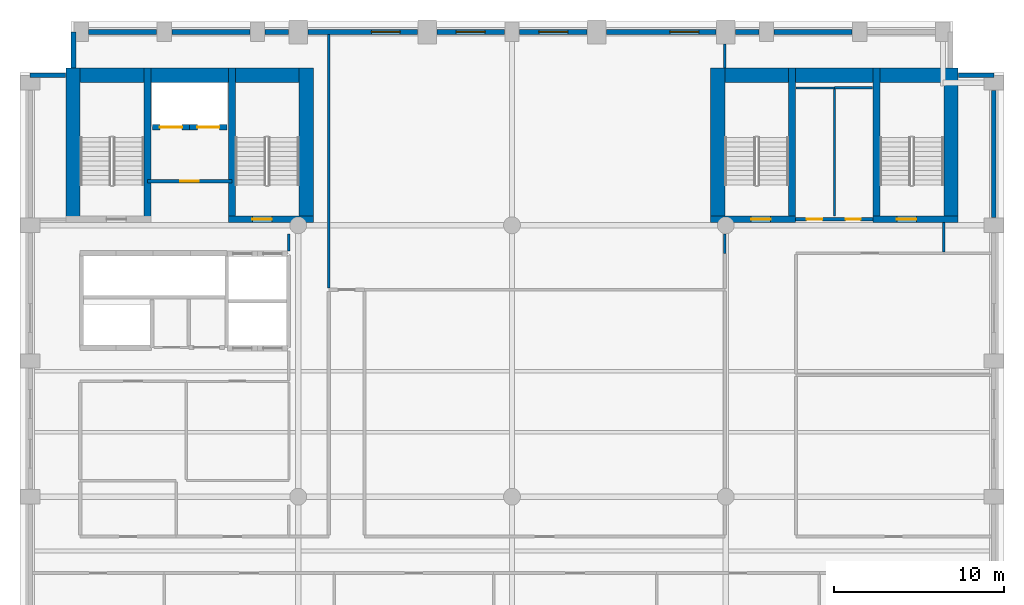
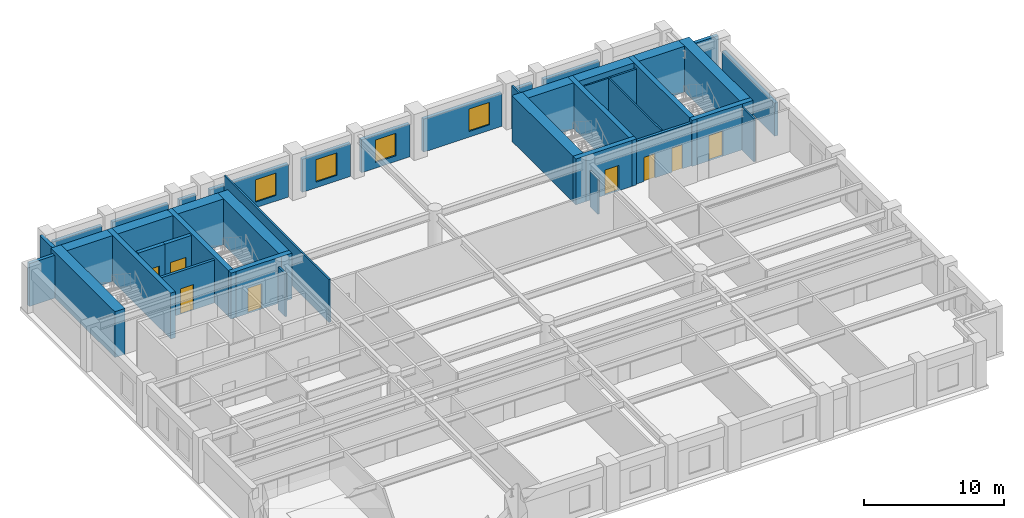
# One storey, part 5 of 9: 38 walls, 8 doors, 4 windows, 12 openings.
"""IFC4 building model written with IfcOpenShell, lengths in metres."""

from ifc_helpers import new_model, si_unit, direction, frame, frame_2d, origin, place, context, subcontext, project, spatial, rectangle, extrude, material, layer, layer_set, type_object, element, fill, save


model = new_model("IFC4")

# Units and contexts
model_context = context("Model", 3, precision=1e-05, world=origin(), true_north=direction((0.0, 1.0)))
body_context = subcontext(model_context, "Body", "Model", "MODEL_VIEW")
ifc_project = project(units=[si_unit("LENGTHUNIT", "METRE"), si_unit("AREAUNIT", "SQUARE_METRE"), si_unit("VOLUMEUNIT", "CUBIC_METRE"), si_unit("PLANEANGLEUNIT", "RADIAN"), si_unit("MASSUNIT", "GRAM", prefix="KILO")], contexts=[model_context])

# Site, building, storey
site_placement = place(None, origin())
site = spatial("IfcSite", under=ifc_project, at=site_placement, CompositionType="ELEMENT")
building_placement = place(site_placement, origin())
building = spatial("IfcBuilding", under=site, at=building_placement, Name="Sulina Concourse Tower", CompositionType="ELEMENT")
storey_placement = place(building_placement, frame((0.0, 0.0, 96.60009765625)))
storey = spatial("IfcBuildingStorey", under=building, at=storey_placement, Name="L23", CompositionType="ELEMENT", Elevation=96.60009765625)

# Wall, opening, door
ifc_material_1 = material(Name="Concrete C50/60", Category="concrete")
ifc_layer_1 = layer(ifc_material_1, 0.300048828125)
ifc_layer_set_1 = layer_set([ifc_layer_1], Name="Concrete C50/60")
wall_type_1 = type_object("IfcWallType", Name="Core Lift Hoistway Wall 300mm", PredefinedType="SOLIDWALL", material=ifc_layer_set_1)
wall_1_placement = place(storey_placement, frame((10.0, 39.780029296875, 0.0), z_axis=(0.0, 0.0, 1.0), x_axis=(-1.0, 0.0, 0.0)))
wall_1 = element("IfcWall", 1, at=wall_1_placement, inside=storey, type_object=wall_type_1, Name="L23 hoistway enclosure wall FFL-1", PredefinedType="SOLIDWALL", context=body_context, shape_type="SweptSolid", body=[
    extrude(rectangle(XDim=2.199951171875, YDim=0.300048828125, at=frame_2d((1.10009765625, 0.0))), origin(), (0.0, 0.0, 1.0), 4.0),
])
opening_1_placement = place(wall_1_placement, frame((0.449951171875, 0.0, 0.0)))
opening_1 = element("IfcOpeningElement", 2, at=opening_1_placement, cuts=wall_1, Name="Opening LD-02", PredefinedType="OPENING", context=body_context, shape_type="SweptSolid", body=[
    extrude(rectangle(XDim=1.300048828125, YDim=2.25, at=frame_2d((0.64990234375, 1.125))), frame((0.0, 0.159912109375, 0.0), z_axis=(0.0, -1.0, 0.0), x_axis=(1.0, 0.0, 0.0)), (0.0, 0.0, 1.0), 0.320068359375),
])
ifc_material_2 = material(Name="Stainless steel lift landing door", Category="steel")
ifc_layer_2 = layer(ifc_material_2, 0.050048828125)
ifc_layer_set_2 = layer_set([ifc_layer_2], Name="Stainless steel lift landing door")
door_type_1 = type_object("IfcDoorType", Name="Firefighting Lift Sliding Landing Door 1300x2250", OperationType="SLIDING_TO_RIGHT", PredefinedType="DOOR", material=ifc_layer_set_2)
door_1_placement = place(opening_1_placement, origin())
door_1 = element("IfcDoor", 3, at=door_1_placement, inside=storey, type_object=door_type_1, Name="L23 lift landing sliding door FFL-1", OperationType="SLIDING_TO_LEFT", OverallHeight=2.25, OverallWidth=1.300048828125, PredefinedType="DOOR", context=body_context, shape_type="SweptSolid", body=[
    extrude(rectangle(XDim=1.300048828125, YDim=2.25, at=frame_2d((0.64990234375, 1.125))), frame((0.0, 0.02490234375, 0.0), z_axis=(0.0, -1.0, 0.0), x_axis=(1.0, 0.0, 0.0)), (0.0, 0.0, 1.0), 0.050048828125),
])
fill(opening_1, door_1)

wall_2_placement = place(storey_placement, frame((12.199951171875, 39.780029296875, 0.0), z_axis=(0.0, 0.0, 1.0), x_axis=(-1.0, 0.0, 0.0)))
wall_2 = element("IfcWall", 4, at=wall_2_placement, inside=storey, type_object=wall_type_1, Name="L23 hoistway enclosure wall FFL-2", PredefinedType="SOLIDWALL", context=body_context, shape_type="SweptSolid", body=[
    extrude(rectangle(XDim=2.199951171875, YDim=0.300048828125, at=frame_2d((1.10009765625, 0.0))), origin(), (0.0, 0.0, 1.0), 4.0),
])
opening_2_placement = place(wall_2_placement, frame((0.449951171875, 0.0, 0.0)))
opening_2 = element("IfcOpeningElement", 5, at=opening_2_placement, cuts=wall_2, Name="Opening LD-02", PredefinedType="OPENING", context=body_context, shape_type="SweptSolid", body=[
    extrude(rectangle(XDim=1.300048828125, YDim=2.25, at=frame_2d((0.64990234375, 1.125))), frame((0.0, 0.159912109375, 0.0), z_axis=(0.0, -1.0, 0.0), x_axis=(1.0, 0.0, 0.0)), (0.0, 0.0, 1.0), 0.320068359375),
])
door_2_placement = place(opening_2_placement, origin())
door_2 = element("IfcDoor", 6, at=door_2_placement, inside=storey, type_object=door_type_1, Name="L23 lift landing sliding door FFL-2", OperationType="SLIDING_TO_RIGHT", OverallHeight=2.25, OverallWidth=1.300048828125, PredefinedType="DOOR", context=body_context, shape_type="SweptSolid", body=[
    extrude(rectangle(XDim=1.300048828125, YDim=2.25, at=frame_2d((0.64990234375, 1.125))), frame((0.0, 0.02490234375, 0.0), z_axis=(0.0, -1.0, 0.0), x_axis=(1.0, 0.0, 0.0)), (0.0, 0.0, 1.0), 0.050048828125),
])
fill(opening_2, door_2)

ifc_material_3 = material(Name="Gypsum board on steel stud", Category="steel")
ifc_layer_3 = layer(ifc_material_3, 0.219970703125)
ifc_layer_set_3 = layer_set([ifc_layer_3], Name="Gypsum board on steel stud")
wall_type_2 = type_object("IfcWallType", Name="Fire-Rated Lobby & Compartment Wall 220mm", PredefinedType="PARTITIONING", material=ifc_layer_set_3)
wall_3_placement = place(storey_placement, frame((7.510009765625, 36.60009765625, 0.0), z_axis=(0.0, 0.0, 1.0), x_axis=(1.0, 0.0, 0.0)))
wall_3 = element("IfcWall", 7, at=wall_3_placement, inside=storey, type_object=wall_type_2, Name="L23 firefighting lobby south fire wall", PredefinedType="PARTITIONING", context=body_context, shape_type="SweptSolid", body=[
    extrude(rectangle(XDim=4.97998046875, YDim=0.219970703125, at=frame_2d((2.489990234375, 0.0))), origin(), (0.0, 0.0, 1.0), 3.724853515625),
])
opening_3_placement = place(wall_3_placement, frame((1.93994140625, 0.0, 0.0)))
opening_3 = element("IfcOpeningElement", 8, at=opening_3_placement, cuts=wall_3, Name="Opening DR-47", PredefinedType="OPENING", context=body_context, shape_type="SweptSolid", body=[
    extrude(rectangle(XDim=1.10009765625, YDim=2.199951171875, at=frame_2d((0.550048828125, 1.10009765625))), frame((0.0, 0.119873046875, 0.0), z_axis=(0.0, -1.0, 0.0), x_axis=(1.0, 0.0, 0.0)), (0.0, 0.0, 1.0), 0.239990234375),
])
ifc_material_4 = material(Name="Galvanised steel acoustic fire leaf", Category="steel")
ifc_layer_4 = layer(ifc_material_4, 0.054931640625)
ifc_layer_set_4 = layer_set([ifc_layer_4], Name="Galvanised steel acoustic fire leaf")
door_type_2 = type_object("IfcDoorType", Name="Firefighting Lobby Fire Door 1100x2200", OperationType="NOTDEFINED", PredefinedType="DOOR", material=ifc_layer_set_4)
door_3_placement = place(opening_3_placement, origin())
door_3 = element("IfcDoor", 9, at=door_3_placement, inside=storey, type_object=door_type_2, Name="L23 firefighting lobby fire door", OperationType="SINGLE_SWING_RIGHT", OverallHeight=2.199951171875, OverallWidth=1.10009765625, PredefinedType="DOOR", context=body_context, shape_type="SweptSolid", body=[
    extrude(rectangle(XDim=1.10009765625, YDim=2.199951171875, at=frame_2d((0.550048828125, 1.10009765625))), frame((0.0, 0.02490234375, 0.0), z_axis=(0.0, -1.0, 0.0), x_axis=(1.0, 0.0, 0.0)), (0.0, 0.0, 1.0), 0.050048828125),
])
fill(opening_3, door_3)

# Wall, openings, doors
wall_4_placement = place(storey_placement, frame((45.719970703125, 34.35009765625, 0.0), z_axis=(0.0, 0.0, 1.0), x_axis=(1.0, 0.0, 0.0)))
wall_4 = element("IfcWall", 10, at=wall_4_placement, inside=storey, type_object=wall_type_2, Name="L23 east core south lobby wall", PredefinedType="PARTITIONING", context=body_context, shape_type="SweptSolid", body=[
    extrude(rectangle(XDim=4.56005859375, YDim=0.219970703125, at=frame_2d((2.280029296875, 0.0))), origin(), (0.0, 0.0, 1.0), 3.724853515625),
])
opening_4_placement = place(wall_4_placement, frame((0.64990234375, 0.0, 0.0)))
opening_4 = element("IfcOpeningElement", 11, at=opening_4_placement, cuts=wall_4, Name="Opening DR-61", PredefinedType="OPENING", context=body_context, shape_type="SweptSolid", body=[
    extrude(rectangle(XDim=0.919921875, YDim=2.10009765625, at=frame_2d((0.4599609375, 1.050048828125))), frame((0.0, 0.119873046875, 0.0), z_axis=(0.0, -1.0, 0.0), x_axis=(1.0, 0.0, 0.0)), (0.0, 0.0, 1.0), 0.239990234375),
])
opening_5_placement = place(wall_4_placement, frame((2.949951171875, 0.0, 0.0)))
opening_5 = element("IfcOpeningElement", 12, at=opening_5_placement, cuts=wall_4, Name="Opening DR-38", PredefinedType="OPENING", context=body_context, shape_type="SweptSolid", body=[
    extrude(rectangle(XDim=0.8798828125, YDim=2.10009765625, at=frame_2d((0.43994140625, 1.050048828125))), frame((0.0, 0.119873046875, 0.0), z_axis=(0.0, -1.0, 0.0), x_axis=(1.0, 0.0, 0.0)), (0.0, 0.0, 1.0), 0.239990234375),
])
ifc_material_5 = material(Name="Oak-veneered fire door leaf")
ifc_layer_5 = layer(ifc_material_5, 0.050048828125)
ifc_layer_set_5 = layer_set([ifc_layer_5], Name="Oak-veneered fire door leaf")
door_type_3 = type_object("IfcDoorType", Name="Accessible WC Door 920x2100", OperationType="NOTDEFINED", PredefinedType="DOOR", material=ifc_layer_set_5)
door_4_placement = place(opening_4_placement, origin())
door_4 = element("IfcDoor", 13, at=door_4_placement, inside=storey, type_object=door_type_3, Name="L23 east core accessible wc door", OperationType="SINGLE_SWING_RIGHT", OverallHeight=2.10009765625, OverallWidth=0.919921875, PredefinedType="DOOR", context=body_context, shape_type="SweptSolid", body=[
    extrude(rectangle(XDim=0.919921875, YDim=2.10009765625, at=frame_2d((0.4599609375, 1.050048828125))), frame((0.0, 0.02490234375, 0.0), z_axis=(0.0, -1.0, 0.0), x_axis=(1.0, 0.0, 0.0)), (0.0, 0.0, 1.0), 0.050048828125),
])
fill(opening_4, door_4)
ifc_material_6 = material(Name="Galvanised steel acoustic fire leaf", Category="steel")
ifc_layer_6 = layer(ifc_material_6, 0.050048828125)
ifc_layer_set_6 = layer_set([ifc_layer_6], Name="Galvanised steel acoustic fire leaf")
door_type_4 = type_object("IfcDoorType", Name="Service Riser Fire Door 880x2100", OperationType="NOTDEFINED", PredefinedType="DOOR", material=ifc_layer_set_6)
door_5_placement = place(opening_5_placement, origin())
door_5 = element("IfcDoor", 14, at=door_5_placement, inside=storey, type_object=door_type_4, Name="L23 east core store door", OperationType="SINGLE_SWING_LEFT", OverallHeight=2.10009765625, OverallWidth=0.8798828125, PredefinedType="DOOR", context=body_context, shape_type="SweptSolid", body=[
    extrude(rectangle(XDim=0.8798828125, YDim=2.10009765625, at=frame_2d((0.43994140625, 1.050048828125))), frame((0.0, 0.02490234375, 0.0), z_axis=(0.0, -1.0, 0.0), x_axis=(1.0, 0.0, 0.0)), (0.0, 0.0, 1.0), 0.050048828125),
])
fill(opening_5, door_5)

# Walls
ifc_material_7 = material(Name="Gypsum board on steel stud", Category="steel")
ifc_layer_7 = layer(ifc_material_7, 0.14990234375)
ifc_layer_set_7 = layer_set([ifc_layer_7], Name="Gypsum board on steel stud")
wall_type_3 = type_object("IfcWallType", Name="Inter-Tenancy Acoustic Partition 150mm", PredefinedType="PARTITIONING", material=ifc_layer_set_7)
wall_5_placement = place(storey_placement, frame((48.0, 42.10009765625, 0.0), z_axis=(0.0, 0.0, 1.0), x_axis=(1.0, 0.0, 0.0)))
element("IfcWall", 15, at=wall_5_placement, inside=storey, type_object=wall_type_3, Name="L23 interior partition 025", PredefinedType="PARTITIONING", context=body_context, shape_type="SweptSolid", body=[
    extrude(rectangle(XDim=2.25, YDim=0.14990234375, at=frame_2d((1.125, 0.0))), origin(), (0.0, 0.0, 1.0), 3.724853515625),
])
wall_6_placement = place(storey_placement, frame((15.85009765625, 32.469970703125, 0.0), z_axis=(0.0, 0.0, 1.0), x_axis=(0.0, 1.0, 0.0)))
element("IfcWall", 16, at=wall_6_placement, inside=storey, type_object=wall_type_3, Name="L23 interior partition 035", PredefinedType="PARTITIONING", context=body_context, shape_type="SweptSolid", body=[
    extrude(rectangle(XDim=1.030029296875, YDim=0.14990234375, at=frame_2d((0.51513671875, 0.0))), origin(), (0.0, 0.0, 1.0), 3.724853515625),
])
wall_7_placement = place(storey_placement, frame((18.199951171875, 30.2900390625, 0.0), z_axis=(0.0, 0.0, 1.0), x_axis=(0.0, 1.0, 0.0)))
element("IfcWall", 17, at=wall_7_placement, inside=storey, type_object=wall_type_3, Name="L23 interior partition 037", PredefinedType="PARTITIONING", context=body_context, shape_type="SweptSolid", body=[
    extrude(rectangle(XDim=14.969970703125, YDim=0.14990234375, at=frame_2d((7.48486328125, 0.0))), origin(), (0.0, 0.0, 1.0), 3.724853515625),
])
wall_8_placement = place(storey_placement, frame((41.550048828125, 32.35009765625, 0.0), z_axis=(0.0, 0.0, 1.0), x_axis=(0.0, 1.0, 0.0)))
element("IfcWall", 18, at=wall_8_placement, inside=storey, type_object=wall_type_3, Name="L23 interior partition 045", PredefinedType="PARTITIONING", context=body_context, shape_type="SweptSolid", body=[
    extrude(rectangle(XDim=1.14990234375, YDim=0.14990234375, at=frame_2d((0.574951171875, 0.0))), origin(), (0.0, 0.0, 1.0), 3.06982421875),
])
wall_9_placement = place(storey_placement, frame((41.550048828125, 43.280029296875, 0.0), z_axis=(0.0, 0.0, 1.0), x_axis=(0.0, 1.0, 0.0)))
element("IfcWall", 19, at=wall_9_placement, inside=storey, type_object=wall_type_3, Name="L23 interior partition 046", PredefinedType="PARTITIONING", context=body_context, shape_type="SweptSolid", body=[
    extrude(rectangle(XDim=1.419921875, YDim=0.14990234375, at=frame_2d((0.7099609375, 0.0))), origin(), (0.0, 0.0, 1.0), 3.724853515625),
])
wall_10_placement = place(storey_placement, frame((54.449951171875, 32.425048828125, 0.0), z_axis=(0.0, 0.0, 1.0), x_axis=(0.0, 1.0, 0.0)))
element("IfcWall", 20, at=wall_10_placement, inside=storey, type_object=wall_type_3, Name="L23 interior partition 051", PredefinedType="PARTITIONING", context=body_context, shape_type="SweptSolid", body=[
    extrude(rectangle(XDim=1.724853515625, YDim=0.14990234375, at=frame_2d((0.8623046875, 0.0))), origin(), (0.0, 0.0, 1.0), 3.724853515625),
])

# Wall, opening, door
ifc_material_8 = material(Name="Concrete C60/75", Category="concrete")
ifc_layer_8 = layer(ifc_material_8, 0.39990234375)
ifc_layer_set_8 = layer_set([ifc_layer_8], Name="Concrete C60/75")
wall_type_4 = type_object("IfcWallType", Name="Protected Stair Core Shear Wall 400mm", PredefinedType="SHEAR", material=ifc_layer_set_8)
wall_11_placement = place(storey_placement, frame((12.2900390625, 34.35009765625, 0.0), z_axis=(0.0, 0.0, 1.0), x_axis=(1.0, 0.0, 0.0)))
wall_11 = element("IfcWall", 21, at=wall_11_placement, inside=storey, type_object=wall_type_4, Name="L23 west core shear wall CW-WS2", PredefinedType="SHEAR", context=body_context, shape_type="SweptSolid", body=[
    extrude(rectangle(XDim=5.010009765625, YDim=0.39990234375, at=frame_2d((2.5048828125, 0.0))), origin(), (0.0, 0.0, 1.0), 4.0),
])
opening_6_placement = place(wall_11_placement, frame((1.39990234375, 0.0, 0.0)))
opening_6 = element("IfcOpeningElement", 22, at=opening_6_placement, cuts=wall_11, Name="Opening DR-60", PredefinedType="OPENING", context=body_context, shape_type="SweptSolid", body=[
    extrude(rectangle(XDim=1.14990234375, YDim=2.199951171875, at=frame_2d((0.574951171875, 1.10009765625))), frame((0.0, 0.2099609375, 0.0), z_axis=(0.0, -1.0, 0.0), x_axis=(1.0, 0.0, 0.0)), (0.0, 0.0, 1.0), 0.419921875),
])
ifc_material_9 = material(Name="Galvanised steel acoustic fire leaf", Category="steel")
ifc_layer_9 = layer(ifc_material_9, 0.054931640625)
ifc_layer_set_9 = layer_set([ifc_layer_9], Name="Galvanised steel acoustic fire leaf")
door_type_5 = type_object("IfcDoorType", Name="Protected Exit Stair Fire Door 1150x2200", OperationType="NOTDEFINED", PredefinedType="DOOR", material=ifc_layer_set_9)
door_6_placement = place(opening_6_placement, origin())
door_6 = element("IfcDoor", 23, at=door_6_placement, inside=storey, type_object=door_type_5, Name="L23 stair ST-2 lobby fire door", OperationType="SINGLE_SWING_LEFT", OverallHeight=2.199951171875, OverallWidth=1.14990234375, PredefinedType="DOOR", context=body_context, shape_type="SweptSolid", body=[
    extrude(rectangle(XDim=1.14990234375, YDim=2.199951171875, at=frame_2d((0.574951171875, 1.10009765625))), frame((0.0, 0.02490234375, 0.0), z_axis=(0.0, -1.0, 0.0), x_axis=(1.0, 0.0, 0.0)), (0.0, 0.0, 1.0), 0.050048828125),
])
fill(opening_6, door_6)

# Walls
for number, where, z_axis, x_axis, name in (
    (24, (7.510009765625, 34.14990234375, 0.0), (0.0, 0.0, 1.0), (0.0, 1.0, 0.0), "L23 west core shear wall SW-ST1"),
    (25, (12.489990234375, 34.14990234375, 0.0), (0.0, 0.0, 1.0), (0.0, 1.0, 0.0), "L23 west core shear wall SW-ST2"),
):
    element("IfcWall", number, at=place(storey_placement, frame(where, z_axis=z_axis, x_axis=x_axis)), inside=storey, type_object=wall_type_4, Name=name, PredefinedType="SHEAR", context=body_context, shape_type="SweptSolid", body=[
        extrude(rectangle(XDim=9.130126953125, YDim=0.39990234375, at=frame_2d((4.56494140625, 0.0))), origin(), (0.0, 0.0, 1.0), 4.0),
    ])

# Wall, opening, door
wall_12_placement = place(storey_placement, frame((40.699951171875, 34.35009765625, 0.0), z_axis=(0.0, 0.0, 1.0), x_axis=(1.0, 0.0, 0.0)))
wall_12 = element("IfcWall", 26, at=wall_12_placement, inside=storey, type_object=wall_type_4, Name="L23 east core shear wall CW-ES1", PredefinedType="SHEAR", context=body_context, shape_type="SweptSolid", body=[
    extrude(rectangle(XDim=5.010009765625, YDim=0.39990234375, at=frame_2d((2.5048828125, 0.0))), origin(), (0.0, 0.0, 1.0), 4.0),
])
opening_7_placement = place(wall_12_placement, frame((2.39990234375, 0.0, 0.0)))
opening_7 = element("IfcOpeningElement", 27, at=opening_7_placement, cuts=wall_12, Name="Opening DR-60", PredefinedType="OPENING", context=body_context, shape_type="SweptSolid", body=[
    extrude(rectangle(XDim=1.14990234375, YDim=2.199951171875, at=frame_2d((0.574951171875, 1.10009765625))), frame((0.0, 0.2099609375, 0.0), z_axis=(0.0, -1.0, 0.0), x_axis=(1.0, 0.0, 0.0)), (0.0, 0.0, 1.0), 0.419921875),
])
door_7_placement = place(opening_7_placement, origin())
door_7 = element("IfcDoor", 28, at=door_7_placement, inside=storey, type_object=door_type_5, Name="L23 stair ST-3 south lobby fire door", OperationType="SINGLE_SWING_LEFT", OverallHeight=2.199951171875, OverallWidth=1.14990234375, PredefinedType="DOOR", context=body_context, shape_type="SweptSolid", body=[
    extrude(rectangle(XDim=1.14990234375, YDim=2.199951171875, at=frame_2d((0.574951171875, 1.10009765625))), frame((0.0, 0.02490234375, 0.0), z_axis=(0.0, -1.0, 0.0), x_axis=(1.0, 0.0, 0.0)), (0.0, 0.0, 1.0), 0.050048828125),
])
fill(opening_7, door_7)

# Wall
wall_13_placement = place(storey_placement, frame((45.510009765625, 34.14990234375, 0.0), z_axis=(0.0, 0.0, 1.0), x_axis=(0.0, 1.0, 0.0)))
element("IfcWall", 29, at=wall_13_placement, inside=storey, type_object=wall_type_4, Name="L23 east core shear wall SW-ST3", PredefinedType="SHEAR", context=body_context, shape_type="SweptSolid", body=[
    extrude(rectangle(XDim=9.130126953125, YDim=0.39990234375, at=frame_2d((4.56494140625, 0.0))), origin(), (0.0, 0.0, 1.0), 4.0),
])

# Wall, opening, door
wall_14_placement = place(storey_placement, frame((50.2900390625, 34.35009765625, 0.0), z_axis=(0.0, 0.0, 1.0), x_axis=(1.0, 0.0, 0.0)))
wall_14 = element("IfcWall", 30, at=wall_14_placement, inside=storey, type_object=wall_type_4, Name="L23 east core shear wall CW-ES2", PredefinedType="SHEAR", context=body_context, shape_type="SweptSolid", body=[
    extrude(rectangle(XDim=5.010009765625, YDim=0.39990234375, at=frame_2d((2.5048828125, 0.0))), origin(), (0.0, 0.0, 1.0), 4.0),
])
opening_8_placement = place(wall_14_placement, frame((1.39990234375, 0.0, 0.0)))
opening_8 = element("IfcOpeningElement", 31, at=opening_8_placement, cuts=wall_14, Name="Opening DR-60", PredefinedType="OPENING", context=body_context, shape_type="SweptSolid", body=[
    extrude(rectangle(XDim=1.14990234375, YDim=2.199951171875, at=frame_2d((0.574951171875, 1.10009765625))), frame((0.0, 0.2099609375, 0.0), z_axis=(0.0, -1.0, 0.0), x_axis=(1.0, 0.0, 0.0)), (0.0, 0.0, 1.0), 0.419921875),
])
door_8_placement = place(opening_8_placement, origin())
door_8 = element("IfcDoor", 32, at=door_8_placement, inside=storey, type_object=door_type_5, Name="L23 stair ST-4 south lobby fire door", OperationType="SINGLE_SWING_RIGHT", OverallHeight=2.199951171875, OverallWidth=1.14990234375, PredefinedType="DOOR", context=body_context, shape_type="SweptSolid", body=[
    extrude(rectangle(XDim=1.14990234375, YDim=2.199951171875, at=frame_2d((0.574951171875, 1.10009765625))), frame((0.0, 0.02490234375, 0.0), z_axis=(0.0, -1.0, 0.0), x_axis=(1.0, 0.0, 0.0)), (0.0, 0.0, 1.0), 0.050048828125),
])
fill(opening_8, door_8)

# Walls
wall_15_placement = place(storey_placement, frame((50.489990234375, 34.14990234375, 0.0), z_axis=(0.0, 0.0, 1.0), x_axis=(0.0, 1.0, 0.0)))
element("IfcWall", 33, at=wall_15_placement, inside=storey, type_object=wall_type_4, Name="L23 east core shear wall SW-ST4", PredefinedType="SHEAR", context=body_context, shape_type="SweptSolid", body=[
    extrude(rectangle(XDim=9.130126953125, YDim=0.39990234375, at=frame_2d((4.56494140625, 0.0))), origin(), (0.0, 0.0, 1.0), 4.0),
])
ifc_material_10 = material(Name="Concrete C60/75", Category="concrete")
ifc_layer_10 = layer(ifc_material_10, 0.85009765625)
ifc_layer_set_10 = layer_set([ifc_layer_10], Name="Concrete C60/75")
wall_type_5 = type_object("IfcWallType", Name="Rear Core Shear Wall 850mm", PredefinedType="SHEAR", material=ifc_layer_set_10)
wall_16_placement = place(storey_placement, frame((2.699951171875, 42.85498046875, 0.0), z_axis=(0.0, 0.0, 1.0), x_axis=(1.0, 0.0, 0.0)))
element("IfcWall", 34, at=wall_16_placement, inside=storey, type_object=wall_type_5, Name="L23 west core shear wall CW-WN", PredefinedType="SHEAR", context=body_context, shape_type="SweptSolid", body=[
    extrude(rectangle(XDim=14.60009765625, YDim=0.85009765625, at=frame_2d((7.300048828125, 0.0))), origin(), (0.0, 0.0, 1.0), 4.0),
])
for number, where, z_axis, x_axis, name in (
    (35, (3.125, 34.14990234375, 0.0), (0.0, 0.0, 1.0), (0.0, 1.0, 0.0), "L23 west core shear wall CW-WW"),
    (36, (16.875, 34.14990234375, 0.0), (0.0, 0.0, 1.0), (0.0, 1.0, 0.0), "L23 west core shear wall CW-WE"),
):
    element("IfcWall", number, at=place(storey_placement, frame(where, z_axis=z_axis, x_axis=x_axis)), inside=storey, type_object=wall_type_5, Name=name, PredefinedType="SHEAR", context=body_context, shape_type="SweptSolid", body=[
        extrude(rectangle(XDim=9.130126953125, YDim=0.85009765625, at=frame_2d((4.56494140625, 0.0))), origin(), (0.0, 0.0, 1.0), 4.0),
    ])
wall_17_placement = place(storey_placement, frame((40.699951171875, 42.85498046875, 0.0), z_axis=(0.0, 0.0, 1.0), x_axis=(1.0, 0.0, 0.0)))
element("IfcWall", 37, at=wall_17_placement, inside=storey, type_object=wall_type_5, Name="L23 east core shear wall CW-EN", PredefinedType="SHEAR", context=body_context, shape_type="SweptSolid", body=[
    extrude(rectangle(XDim=14.60009765625, YDim=0.85009765625, at=frame_2d((7.300048828125, 0.0))), origin(), (0.0, 0.0, 1.0), 4.0),
])
for number, where, z_axis, x_axis, name in (
    (38, (41.125, 34.14990234375, 0.0), (0.0, 0.0, 1.0), (0.0, 1.0, 0.0), "L23 east core shear wall CW-EW"),
    (39, (54.875, 34.14990234375, 0.0), (0.0, 0.0, 1.0), (0.0, 1.0, 0.0), "L23 east core shear wall CW-EE"),
):
    element("IfcWall", number, at=place(storey_placement, frame(where, z_axis=z_axis, x_axis=x_axis)), inside=storey, type_object=wall_type_5, Name=name, PredefinedType="SHEAR", context=body_context, shape_type="SweptSolid", body=[
        extrude(rectangle(XDim=9.130126953125, YDim=0.85009765625, at=frame_2d((4.56494140625, 0.0))), origin(), (0.0, 0.0, 1.0), 4.0),
    ])
ifc_material_11 = material(Name="Precast concrete C50/60", Category="concrete")
ifc_layer_11 = layer(ifc_material_11, 0.280029296875)
ifc_layer_set_11 = layer_set([ifc_layer_11], Name="Precast concrete C50/60")
wall_type_6 = type_object("IfcWallType", Name="Typical Precast Masonry-Frame Facade Wall 280mm", PredefinedType="SOLIDWALL", material=ifc_layer_set_11)
wall_18_placement = place(storey_placement, frame((4.044921875, 45.39990234375, 0.0), z_axis=(0.0, 0.0, 1.0), x_axis=(1.0, 0.0, 0.0)))
element("IfcWall", 40, at=wall_18_placement, inside=storey, type_object=wall_type_6, Name="L23 exterior precast wall N1", PredefinedType="SOLIDWALL", context=body_context, shape_type="SweptSolid", body=[
    extrude(rectangle(XDim=4.010009765625, YDim=0.280029296875, at=frame_2d((2.0048828125, 0.0))), origin(), (0.0, 0.0, 1.0), 2.875),
])
wall_19_placement = place(storey_placement, frame((8.945068359375, 45.39990234375, 0.0), z_axis=(0.0, 0.0, 1.0), x_axis=(1.0, 0.0, 0.0)))
element("IfcWall", 41, at=wall_19_placement, inside=storey, type_object=wall_type_6, Name="L23 exterior precast wall N2", PredefinedType="SOLIDWALL", context=body_context, shape_type="SweptSolid", body=[
    extrude(rectangle(XDim=4.60986328125, YDim=0.280029296875, at=frame_2d((2.304931640625, 0.0))), origin(), (0.0, 0.0, 1.0), 2.875),
])
wall_20_placement = place(storey_placement, frame((14.445068359375, 45.39990234375, 0.0), z_axis=(0.0, 0.0, 1.0), x_axis=(1.0, 0.0, 0.0)))
element("IfcWall", 42, at=wall_20_placement, inside=storey, type_object=wall_type_6, Name="L23 exterior precast wall N3", PredefinedType="SOLIDWALL", context=body_context, shape_type="SweptSolid", body=[
    extrude(rectangle(XDim=1.385009765625, YDim=0.280029296875, at=frame_2d((0.6923828125, 0.0))), origin(), (0.0, 0.0, 1.0), 2.875),
])

# Wall, opening, window
wall_21_placement = place(storey_placement, frame((16.969970703125, 45.39990234375, 0.0), z_axis=(0.0, 0.0, 1.0), x_axis=(1.0, 0.0, 0.0)))
wall_21 = element("IfcWall", 43, at=wall_21_placement, inside=storey, type_object=wall_type_6, Name="L23 exterior precast wall N4", PredefinedType="SOLIDWALL", context=body_context, shape_type="SweptSolid", body=[
    extrude(rectangle(XDim=6.4599609375, YDim=0.280029296875, at=frame_2d((3.22998046875, 0.0))), origin(), (0.0, 0.0, 1.0), 2.875),
])
opening_9_placement = place(wall_21_placement, frame((3.739990234375, 0.0, 0.5)))
opening_9 = element("IfcOpeningElement", 44, at=opening_9_placement, cuts=wall_21, Name="Opening WN-66", PredefinedType="OPENING", context=body_context, shape_type="SweptSolid", body=[
    extrude(rectangle(XDim=1.699951171875, YDim=1.949951171875, at=frame_2d((0.85009765625, 0.97509765625))), frame((0.0, 0.14990234375, 0.0), z_axis=(0.0, -1.0, 0.0), x_axis=(1.0, 0.0, 0.0)), (0.0, 0.0, 1.0), 0.300048828125),
])
ifc_material_12 = material(Name="Low-E solar double glazing in bronze aluminium", Category="aluminium")
window_type = type_object("IfcWindowType", Name="Recessed Spandrel Window 1700x1950", PartitioningType="SINGLE_PANEL", PredefinedType="WINDOW", material=ifc_material_12)
window_1_placement = place(opening_9_placement, origin())
window_1 = element("IfcWindow", 45, at=window_1_placement, inside=storey, type_object=window_type, Name="L23 punched window N4-1", OverallHeight=1.949951171875, OverallWidth=1.699951171875, PartitioningType="SINGLE_PANEL", PredefinedType="WINDOW", context=body_context, shape_type="SweptSolid", body=[
    extrude(rectangle(XDim=1.699951171875, YDim=1.949951171875, at=frame_2d((0.85009765625, 0.97509765625))), frame((0.0, 0.030029296875, 0.0), z_axis=(0.0, -1.0, 0.0), x_axis=(1.0, 0.0, 0.0)), (0.0, 0.0, 1.0), 0.06005859375),
])
fill(opening_9, window_1)

wall_22_placement = place(storey_placement, frame((24.570068359375, 45.39990234375, 0.0), z_axis=(0.0, 0.0, 1.0), x_axis=(1.0, 0.0, 0.0)))
wall_22 = element("IfcWall", 46, at=wall_22_placement, inside=storey, type_object=wall_type_6, Name="L23 exterior precast wall N5", PredefinedType="SOLIDWALL", context=body_context, shape_type="SweptSolid", body=[
    extrude(rectangle(XDim=3.98486328125, YDim=0.280029296875, at=frame_2d((1.992431640625, 0.0))), origin(), (0.0, 0.0, 1.0), 2.875),
])
opening_10_placement = place(wall_22_placement, frame((1.142578125, 0.0, 0.5)))
opening_10 = element("IfcOpeningElement", 47, at=opening_10_placement, cuts=wall_22, Name="Opening WN-66", PredefinedType="OPENING", context=body_context, shape_type="SweptSolid", body=[
    extrude(rectangle(XDim=1.699951171875, YDim=1.949951171875, at=frame_2d((0.85009765625, 0.97509765625))), frame((0.0, 0.14990234375, 0.0), z_axis=(0.0, -1.0, 0.0), x_axis=(1.0, 0.0, 0.0)), (0.0, 0.0, 1.0), 0.300048828125),
])
window_2_placement = place(opening_10_placement, origin())
window_2 = element("IfcWindow", 48, at=window_2_placement, inside=storey, type_object=window_type, Name="L23 punched window N5-1", OverallHeight=1.949951171875, OverallWidth=1.699951171875, PartitioningType="SINGLE_PANEL", PredefinedType="WINDOW", context=body_context, shape_type="SweptSolid", body=[
    extrude(rectangle(XDim=1.699951171875, YDim=1.949951171875, at=frame_2d((0.85009765625, 0.97509765625))), frame((0.0, 0.030029296875, 0.0), z_axis=(0.0, -1.0, 0.0), x_axis=(1.0, 0.0, 0.0)), (0.0, 0.0, 1.0), 0.06005859375),
])
fill(opening_10, window_2)

wall_23_placement = place(storey_placement, frame((29.445068359375, 45.39990234375, 0.0), z_axis=(0.0, 0.0, 1.0), x_axis=(1.0, 0.0, 0.0)))
wall_23 = element("IfcWall", 49, at=wall_23_placement, inside=storey, type_object=wall_type_6, Name="L23 exterior precast wall N6", PredefinedType="SOLIDWALL", context=body_context, shape_type="SweptSolid", body=[
    extrude(rectangle(XDim=3.98486328125, YDim=0.280029296875, at=frame_2d((1.992431640625, 0.0))), origin(), (0.0, 0.0, 1.0), 2.875),
])
opening_11_placement = place(wall_23_placement, frame((1.142578125, 0.0, 0.5)))
opening_11 = element("IfcOpeningElement", 50, at=opening_11_placement, cuts=wall_23, Name="Opening WN-66", PredefinedType="OPENING", context=body_context, shape_type="SweptSolid", body=[
    extrude(rectangle(XDim=1.699951171875, YDim=1.949951171875, at=frame_2d((0.85009765625, 0.97509765625))), frame((0.0, 0.14990234375, 0.0), z_axis=(0.0, -1.0, 0.0), x_axis=(1.0, 0.0, 0.0)), (0.0, 0.0, 1.0), 0.300048828125),
])
window_3_placement = place(opening_11_placement, origin())
window_3 = element("IfcWindow", 51, at=window_3_placement, inside=storey, type_object=window_type, Name="L23 punched window N6-1", OverallHeight=1.949951171875, OverallWidth=1.699951171875, PartitioningType="SINGLE_PANEL", PredefinedType="WINDOW", context=body_context, shape_type="SweptSolid", body=[
    extrude(rectangle(XDim=1.699951171875, YDim=1.949951171875, at=frame_2d((0.85009765625, 0.97509765625))), frame((0.0, 0.030029296875, 0.0), z_axis=(0.0, -1.0, 0.0), x_axis=(1.0, 0.0, 0.0)), (0.0, 0.0, 1.0), 0.06005859375),
])
fill(opening_11, window_3)

wall_24_placement = place(storey_placement, frame((34.570068359375, 45.39990234375, 0.0), z_axis=(0.0, 0.0, 1.0), x_axis=(1.0, 0.0, 0.0)))
wall_24 = element("IfcWall", 52, at=wall_24_placement, inside=storey, type_object=wall_type_6, Name="L23 exterior precast wall N7", PredefinedType="SOLIDWALL", context=body_context, shape_type="SweptSolid", body=[
    extrude(rectangle(XDim=6.4599609375, YDim=0.280029296875, at=frame_2d((3.22998046875, 0.0))), origin(), (0.0, 0.0, 1.0), 2.875),
])
opening_12_placement = place(wall_24_placement, frame((3.739990234375, 0.0, 0.5)))
opening_12 = element("IfcOpeningElement", 53, at=opening_12_placement, cuts=wall_24, Name="Opening WN-66", PredefinedType="OPENING", context=body_context, shape_type="SweptSolid", body=[
    extrude(rectangle(XDim=1.699951171875, YDim=1.949951171875, at=frame_2d((0.85009765625, 0.97509765625))), frame((0.0, 0.14990234375, 0.0), z_axis=(0.0, -1.0, 0.0), x_axis=(1.0, 0.0, 0.0)), (0.0, 0.0, 1.0), 0.300048828125),
])
window_4_placement = place(opening_12_placement, origin())
window_4 = element("IfcWindow", 54, at=window_4_placement, inside=storey, type_object=window_type, Name="L23 punched window N7-1", OverallHeight=1.949951171875, OverallWidth=1.699951171875, PartitioningType="SINGLE_PANEL", PredefinedType="WINDOW", context=body_context, shape_type="SweptSolid", body=[
    extrude(rectangle(XDim=1.699951171875, YDim=1.949951171875, at=frame_2d((0.85009765625, 0.97509765625))), frame((0.0, 0.030029296875, 0.0), z_axis=(0.0, -1.0, 0.0), x_axis=(1.0, 0.0, 0.0)), (0.0, 0.0, 1.0), 0.06005859375),
])
fill(opening_12, window_4)

# Walls
wall_25_placement = place(storey_placement, frame((42.169921875, 45.39990234375, 0.0), z_axis=(0.0, 0.0, 1.0), x_axis=(1.0, 0.0, 0.0)))
element("IfcWall", 55, at=wall_25_placement, inside=storey, type_object=wall_type_6, Name="L23 exterior precast wall N8", PredefinedType="SOLIDWALL", context=body_context, shape_type="SweptSolid", body=[
    extrude(rectangle(XDim=1.385009765625, YDim=0.280029296875, at=frame_2d((0.6923828125, 0.0))), origin(), (0.0, 0.0, 1.0), 2.875),
])
wall_26_placement = place(storey_placement, frame((44.445068359375, 45.39990234375, 0.0), z_axis=(0.0, 0.0, 1.0), x_axis=(1.0, 0.0, 0.0)))
element("IfcWall", 56, at=wall_26_placement, inside=storey, type_object=wall_type_6, Name="L23 exterior precast wall N9", PredefinedType="SOLIDWALL", context=body_context, shape_type="SweptSolid", body=[
    extrude(rectangle(XDim=4.60986328125, YDim=0.280029296875, at=frame_2d((2.304931640625, 0.0))), origin(), (0.0, 0.0, 1.0), 2.875),
])
wall_27_placement = place(storey_placement, frame((57.39990234375, 41.955078125, 0.0), z_axis=(0.0, 0.0, 1.0), x_axis=(0.0, -1.0, 0.0)))
element("IfcWall", 57, at=wall_27_placement, inside=storey, type_object=wall_type_6, Name="L23 exterior precast wall E5", PredefinedType="SOLIDWALL", context=body_context, shape_type="SweptSolid", body=[
    extrude(rectangle(XDim=7.510009765625, YDim=0.280029296875, at=frame_2d((3.7548828125, 0.0))), origin(), (0.0, 0.0, 1.0), 2.875),
])
wall_28_placement = place(storey_placement, frame((0.60009765625, 42.844970703125, 0.0), z_axis=(0.0, 0.0, 1.0), x_axis=(1.0, 0.0, 0.0)))
element("IfcWall", 58, at=wall_28_placement, inside=storey, type_object=wall_type_6, Name="L23 exterior precast wall CNW1", PredefinedType="SOLIDWALL", context=body_context, shape_type="SweptSolid", body=[
    extrude(rectangle(XDim=2.094970703125, YDim=0.280029296875, at=frame_2d((1.04736328125, 0.0))), origin(), (0.0, 0.0, 1.0), 3.724853515625),
])
wall_29_placement = place(storey_placement, frame((3.155029296875, 43.284912109375, 0.0), z_axis=(0.0, 0.0, 1.0), x_axis=(0.0, 1.0, 0.0)))
element("IfcWall", 59, at=wall_29_placement, inside=storey, type_object=wall_type_6, Name="L23 exterior precast wall CNW2", PredefinedType="SOLIDWALL", context=body_context, shape_type="SweptSolid", body=[
    extrude(rectangle(XDim=2.114990234375, YDim=0.280029296875, at=frame_2d((1.0576171875, 0.0))), origin(), (0.0, 0.0, 1.0), 3.724853515625),
])
wall_30_placement = place(storey_placement, frame((55.304931640625, 42.844970703125, 0.0), z_axis=(0.0, 0.0, 1.0), x_axis=(1.0, 0.0, 0.0)))
element("IfcWall", 60, at=wall_30_placement, inside=storey, type_object=wall_type_6, Name="L23 exterior precast wall CNE2", PredefinedType="SOLIDWALL", context=body_context, shape_type="SweptSolid", body=[
    extrude(rectangle(XDim=2.094970703125, YDim=0.280029296875, at=frame_2d((1.04736328125, 0.0))), origin(), (0.0, 0.0, 1.0), 3.724853515625),
])
ifc_material_13 = material(Name="Gypsum board on steel stud", Category="steel")
ifc_layer_12 = layer(ifc_material_13, 0.125)
ifc_layer_set_12 = layer_set([ifc_layer_12], Name="Gypsum board on steel stud")
wall_type_7 = type_object("IfcWallType", Name="Wet-Area Moisture-Resistant Partition 125mm", PredefinedType="PARTITIONING", material=ifc_layer_set_12)
wall_31_placement = place(storey_placement, frame((45.75, 42.10009765625, 0.0), z_axis=(0.0, 0.0, 1.0), x_axis=(1.0, 0.0, 0.0)))
element("IfcWall", 61, at=wall_31_placement, inside=storey, type_object=wall_type_7, Name="L23 interior partition 024", PredefinedType="PARTITIONING", context=body_context, shape_type="SweptSolid", body=[
    extrude(rectangle(XDim=2.25, YDim=0.125, at=frame_2d((1.125, 0.0))), origin(), (0.0, 0.0, 1.0), 3.724853515625),
])
wall_32_placement = place(storey_placement, frame((48.0, 34.550048828125, 0.0), z_axis=(0.0, 0.0, 1.0), x_axis=(0.0, 1.0, 0.0)))
element("IfcWall", 62, at=wall_32_placement, inside=storey, type_object=wall_type_7, Name="L23 interior partition 050", PredefinedType="PARTITIONING", context=body_context, shape_type="SweptSolid", body=[
    extrude(rectangle(XDim=7.474853515625, YDim=0.125, at=frame_2d((3.7373046875, 0.0))), origin(), (0.0, 0.0, 1.0), 3.724853515625),
])

save(model, "model.ifc")
